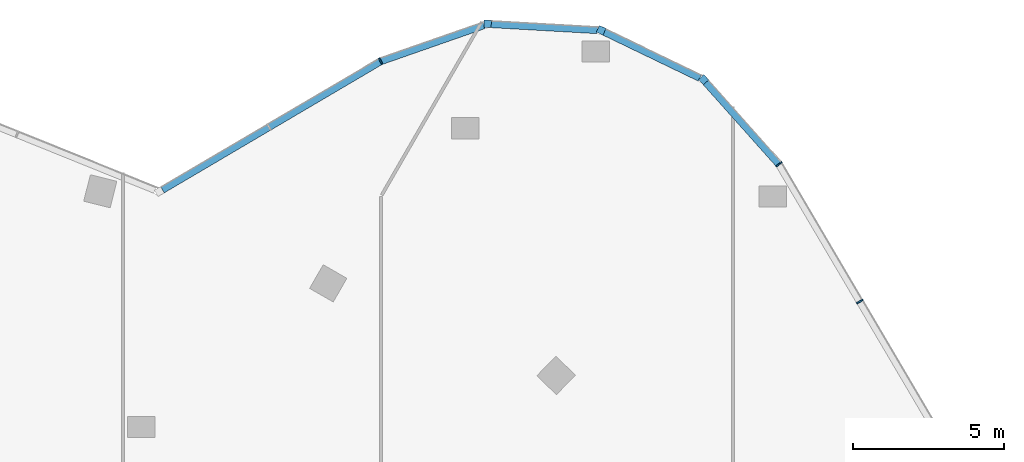
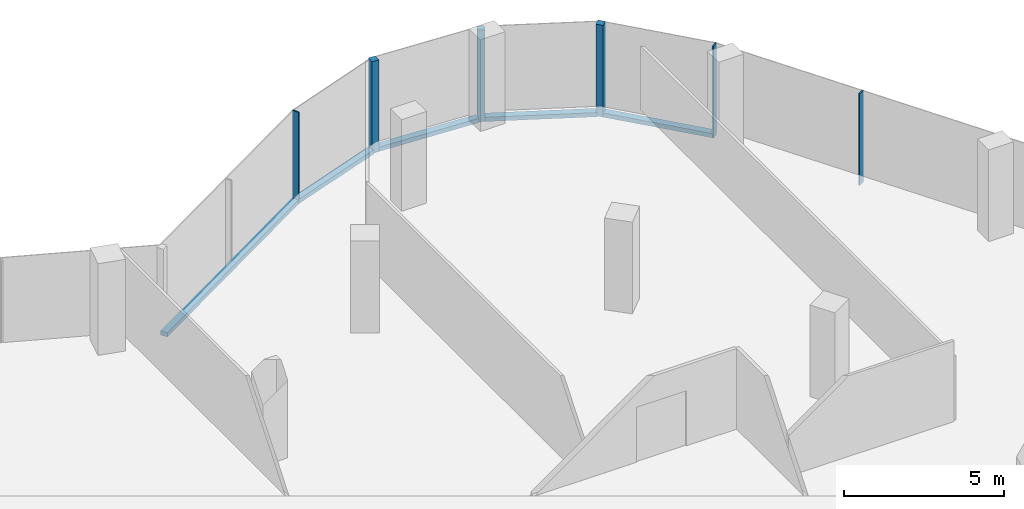
# One storey, part 9 of 16: 11 members, 6 elements without a shape of their own.
"""IFC4 building model written with IfcOpenShell, lengths in metres."""

from ifc_helpers import new_model, si_unit, direction, frame, origin, origin_2d, place, context, subcontext, project, spatial, rectangle, extrude, material, material_profile, profile_set, type_object, element, aggregate, save


model = new_model("IFC4")

# Units and contexts
model_context = context("Model", 3, precision=1e-05, world=origin(), true_north=direction((0.0, 1.0)))
body_context = subcontext(model_context, "Body", "Model", "MODEL_VIEW")
ifc_project = project(units=[si_unit("LENGTHUNIT", "METRE"), si_unit("AREAUNIT", "SQUARE_METRE"), si_unit("VOLUMEUNIT", "CUBIC_METRE"), si_unit("PLANEANGLEUNIT", "RADIAN"), si_unit("MASSUNIT", "GRAM", prefix="KILO")], contexts=[model_context])

# Site, building, storey
site_placement = place(None, origin())
site = spatial("IfcSite", under=ifc_project, at=site_placement, CompositionType="ELEMENT")
building_placement = place(site_placement, origin())
building = spatial("IfcBuilding", under=site, at=building_placement, Name="Orlundy Tower", CompositionType="ELEMENT")
storey_placement = place(building_placement, frame((0.0, 0.0, 285.89990234375)))
storey = spatial("IfcBuildingStorey", under=building, at=storey_placement, Name="L76", CompositionType="ELEMENT", Elevation=285.89990234375)

# Curtain wall, member
ifc_material_1 = material(Name="Aluminium bronze anodised", Category="aluminium")
curtain_wall_type = type_object("IfcCurtainWallType", Name="CW6 wall", PredefinedType="NOTDEFINED", material=ifc_material_1)
curtain_wall_1_placement = place(storey_placement, origin())
curtain_wall_1 = element("IfcCurtainWall", 1, at=curtain_wall_1_placement, inside=storey, type_object=curtain_wall_type, Name="CW6 run 020", PredefinedType="NOTDEFINED")
ifc_material_2 = material(Name="Aluminium bronze anodised", Category="aluminium")
ifc_material_profile_1 = material_profile(ifc_material_2, rectangle(XDim=0.239990234375, YDim=0.239990234375, at=origin_2d()), Name="CW6 corner post 240x240")
ifc_profile_set_1 = profile_set([ifc_material_profile_1], Name="Aluminium bronze anodised")
member_type_1 = type_object("IfcMemberType", Name="CW6 corner post 240x240", PredefinedType="MULLION", material=ifc_profile_set_1)
member_1_placement = place(storey_placement, frame((20.0419921875, 34.30908203125, -0.39990234375), z_axis=(0.0, 0.0, 1.0), x_axis=(0.056650299193, 0.998394082315, 0.0)))
member_1 = element("IfcMember", 2, at=member_1_placement, type_object=member_type_1, Name="CW6 mullion 42", PredefinedType="MULLION", context=body_context, shape_type="SweptSolid", body=[
    extrude(rectangle(XDim=0.239990234375, YDim=0.239990234375, at=origin_2d()), origin(), (0.0, 0.0, 1.0), 3.5),
])

curtain_wall_2_placement = place(storey_placement, origin())
curtain_wall_2 = element("IfcCurtainWall", 3, at=curtain_wall_2_placement, inside=storey, type_object=curtain_wall_type, Name="CW6 run 021", PredefinedType="NOTDEFINED")
member_2_placement = place(storey_placement, frame((23.79052734375, 34.096435546875, -0.39990234375), z_axis=(0.0, 0.0, 1.0), x_axis=(0.434326546158, 0.900755489188, 0.0)))
member_2 = element("IfcMember", 4, at=member_2_placement, type_object=member_type_1, Name="CW6 mullion 43", PredefinedType="MULLION", context=body_context, shape_type="SweptSolid", body=[
    extrude(rectangle(XDim=0.239990234375, YDim=0.239990234375, at=origin_2d()), origin(), (0.0, 0.0, 1.0), 3.5),
])

curtain_wall_3_placement = place(storey_placement, origin())
curtain_wall_3 = element("IfcCurtainWall", 5, at=curtain_wall_3_placement, inside=storey, type_object=curtain_wall_type, Name="CW6 run 022", PredefinedType="NOTDEFINED")
member_3_placement = place(storey_placement, frame((27.172607421875, 32.4658203125, -0.39990234375), z_axis=(0.0, 0.0, 1.0), x_axis=(0.746157794518, 0.665769138425, 0.0)))
member_3 = element("IfcMember", 6, at=member_3_placement, type_object=member_type_1, Name="CW6 mullion 44", PredefinedType="MULLION", context=body_context, shape_type="SweptSolid", body=[
    extrude(rectangle(XDim=0.239990234375, YDim=0.239990234375, at=origin_2d()), origin(), (0.0, 0.0, 1.0), 3.5),
])

curtain_wall_4_placement = place(storey_placement, origin())
curtain_wall_4 = element("IfcCurtainWall", 7, at=curtain_wall_4_placement, inside=storey, type_object=curtain_wall_type, Name="CW6 run 019", PredefinedType="NOTDEFINED")
ifc_material_3 = material(Name="Aluminium bronze anodised", Category="aluminium")
ifc_material_profile_2 = material_profile(ifc_material_3, rectangle(XDim=0.239990234375, YDim=0.050048828125, at=origin_2d()), Name="CW6 mullion 50x240")
ifc_profile_set_2 = profile_set([ifc_material_profile_2], Name="Aluminium bronze anodised")
member_type_2 = type_object("IfcMemberType", Name="CW6 mullion 50x240", PredefinedType="MULLION", material=ifc_profile_set_2)
member_4_placement = place(storey_placement, frame((16.50927734375, 33.075439453125, -0.39990234375), z_axis=(0.0, 0.0, 1.0), x_axis=(-0.420620734298, 0.907236572168, 0.0)))
member_4 = element("IfcMember", 8, at=member_4_placement, type_object=member_type_2, Name="CW6 mullion 41", PredefinedType="MULLION", context=body_context, shape_type="SweptSolid", body=[
    extrude(rectangle(XDim=0.239990234375, YDim=0.050048828125, at=origin_2d()), origin(), (0.0, 0.0, 1.0), 3.5),
])

# Curtain wall, members
curtain_wall_5_placement = place(storey_placement, origin())
curtain_wall_5 = element("IfcCurtainWall", 9, at=curtain_wall_5_placement, inside=storey, type_object=curtain_wall_type, Name="CW6 run 023", PredefinedType="NOTDEFINED")
member_5_placement = place(storey_placement, frame((29.664306640625, 29.673095703125, -0.39990234375), z_axis=(0.0, 0.0, 1.0), x_axis=(0.807779360228, 0.589484949078, 0.0)))
member_5 = element("IfcMember", 10, at=member_5_placement, type_object=member_type_2, Name="CW6 mullion 45", PredefinedType="MULLION", context=body_context, shape_type="SweptSolid", body=[
    extrude(rectangle(XDim=0.239990234375, YDim=0.050048828125, at=origin_2d()), origin(), (0.0, 0.0, 1.0), 3.5),
])
member_6_placement = place(storey_placement, frame((32.3349609375, 25.139404296875, -0.39990234375), z_axis=(0.0, 0.0, 1.0), x_axis=(0.861632919827, 0.507531980737, 0.0)))
member_6 = element("IfcMember", 11, at=member_6_placement, type_object=member_type_2, Name="CW6 mullion 46", PredefinedType="MULLION", context=body_context, shape_type="SweptSolid", body=[
    extrude(rectangle(XDim=0.239990234375, YDim=0.050048828125, at=origin_2d()), origin(), (0.0, 0.0, 1.0), 3.5),
])
aggregate(curtain_wall_5, [member_5, member_6])

# Curtain wall, member
curtain_wall_6_placement = place(storey_placement, origin())
curtain_wall_6 = element("IfcCurtainWall", 12, at=curtain_wall_6_placement, inside=storey, type_object=curtain_wall_type, Name="CW6 run 018", PredefinedType="NOTDEFINED")
ifc_material_4 = material(Name="Aluminium bronze anodised", Category="aluminium")
ifc_material_profile_3 = material_profile(ifc_material_4, rectangle(XDim=0.239990234375, YDim=0.159912109375, at=origin_2d()), Name="CW6 transom 240x160")
ifc_profile_set_3 = profile_set([ifc_material_profile_3], Name="Aluminium bronze anodised")
member_type_3 = type_object("IfcMemberType", Name="CW6 transom 240x160", PredefinedType="USERDEFINED", material=ifc_profile_set_3)
member_7_placement = place(storey_placement, frame((9.301513671875, 28.830322265625, -0.31982421875), z_axis=(0.861654135991, 0.507495960506, 0.0), x_axis=(-0.507495960506, 0.861654135991, 0.0)))
member_7 = element("IfcMember", 13, at=member_7_placement, type_object=member_type_3, Name="CW6 transom", ObjectType="TRANSOM", PredefinedType="USERDEFINED", context=body_context, shape_type="SweptSolid", body=[
    extrude(rectangle(XDim=0.239990234375, YDim=0.159912109375, at=origin_2d()), origin(), (0.0, 0.0, 1.0), 8.33984375),
])
aggregate(curtain_wall_6, [member_7])

# Member
member_8_placement = place(storey_placement, frame((16.532958984375, 33.083740234375, -0.31982421875), z_axis=(0.944088385931, 0.329692462076, 0.0), x_axis=(-0.329692462076, 0.944088385931, 0.0)))
member_8 = element("IfcMember", 14, at=member_8_placement, type_object=member_type_3, Name="CW6 transom", ObjectType="TRANSOM", PredefinedType="USERDEFINED", context=body_context, shape_type="SweptSolid", body=[
    extrude(rectangle(XDim=0.239990234375, YDim=0.159912109375, at=origin_2d()), origin(), (0.0, 0.0, 1.0), 3.5869140625),
])

aggregate(curtain_wall_4, [member_4, member_8])

member_9_placement = place(storey_placement, frame((20.161865234375, 34.30224609375, -0.31982421875), z_axis=(0.998394941321, -0.056635158198, 0.0), x_axis=(0.056635158198, 0.998394941321, 0.0)))
member_9 = element("IfcMember", 15, at=member_9_placement, type_object=member_type_3, Name="CW6 transom", ObjectType="TRANSOM", PredefinedType="USERDEFINED", context=body_context, shape_type="SweptSolid", body=[
    extrude(rectangle(XDim=0.239990234375, YDim=0.159912109375, at=origin_2d()), origin(), (0.0, 0.0, 1.0), 3.504638671875),
])

aggregate(curtain_wall_1, [member_1, member_9])

member_10_placement = place(storey_placement, frame((23.898681640625, 34.04443359375, -0.31982421875), z_axis=(0.900757488808, -0.434322399096, 0.0), x_axis=(0.434322399096, 0.900757488808, 0.0)))
member_10 = element("IfcMember", 16, at=member_10_placement, type_object=member_type_3, Name="CW6 transom", ObjectType="TRANSOM", PredefinedType="USERDEFINED", context=body_context, shape_type="SweptSolid", body=[
    extrude(rectangle(XDim=0.239990234375, YDim=0.159912109375, at=origin_2d()), origin(), (0.0, 0.0, 1.0), 3.5048828125),
])

aggregate(curtain_wall_2, [member_2, member_10])

member_11_placement = place(storey_placement, frame((27.25244140625, 32.376220703125, -0.31982421875), z_axis=(0.665790528863, -0.746138708067, 0.0), x_axis=(0.746138708067, 0.665790528863, 0.0)))
member_11 = element("IfcMember", 17, at=member_11_placement, type_object=member_type_3, Name="CW6 transom", ObjectType="TRANSOM", PredefinedType="USERDEFINED", context=body_context, shape_type="SweptSolid", body=[
    extrude(rectangle(XDim=0.239990234375, YDim=0.159912109375, at=origin_2d()), origin(), (0.0, 0.0, 1.0), 3.59765625),
])

aggregate(curtain_wall_3, [member_3, member_11])

save(model, "model.ifc")
